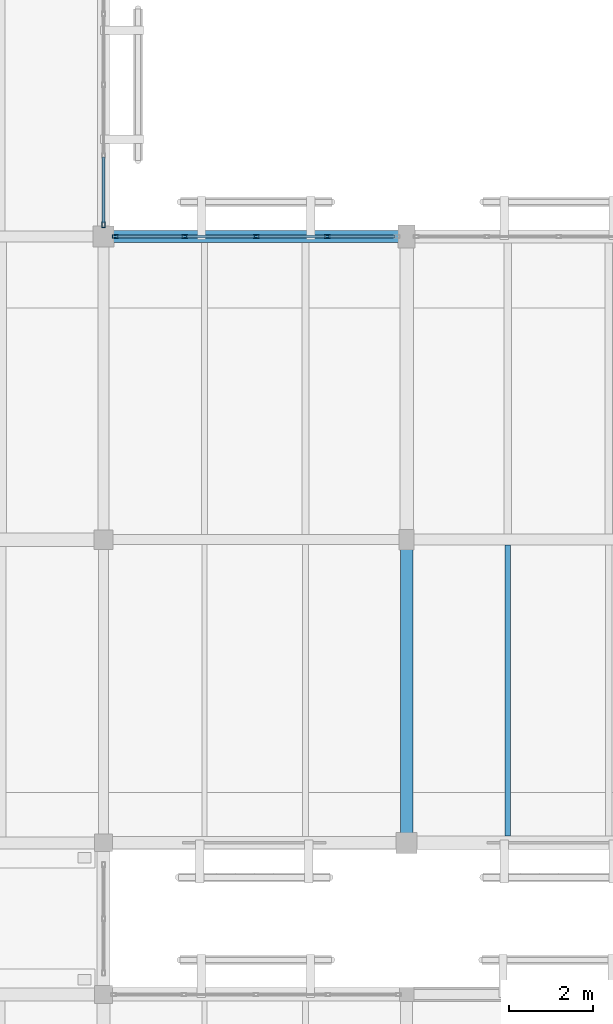
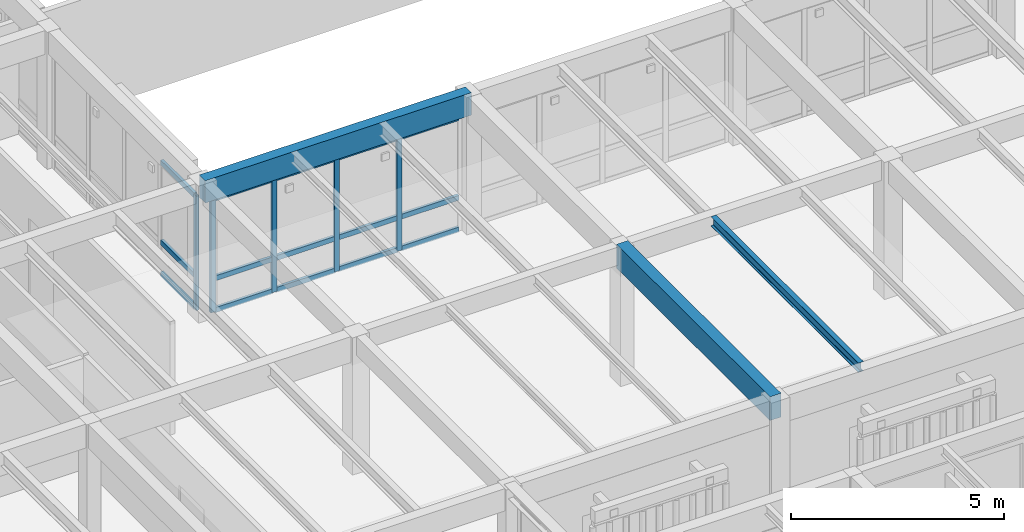
# One storey, part 141 of 217: 20 members, 3 beams, 2 elements without a shape of their own.
"""IFC4 building model written with IfcOpenShell, lengths in metres."""

from ifc_helpers import new_model, si_unit, direction, frame, origin, origin_2d, place, context, subcontext, project, spatial, rectangle, hollow_rectangle, i_section, extrude, material, layer, layer_set, material_profile, profile_set, type_object, element, aggregate, save


model = new_model("IFC4")

# Units and contexts
model_context = context("Model", 3, precision=1e-05, world=origin(), true_north=direction((0.0, 1.0)))
body_context = subcontext(model_context, "Body", "Model", "MODEL_VIEW")
ifc_project = project(units=[si_unit("LENGTHUNIT", "METRE"), si_unit("AREAUNIT", "SQUARE_METRE"), si_unit("VOLUMEUNIT", "CUBIC_METRE"), si_unit("PLANEANGLEUNIT", "RADIAN"), si_unit("MASSUNIT", "GRAM", prefix="KILO")], contexts=[model_context])

# Site, building, storey
site_placement = place(None, origin())
site = spatial("IfcSite", under=ifc_project, at=site_placement, CompositionType="ELEMENT")
building_placement = place(site_placement, origin())
building = spatial("IfcBuilding", under=site, at=building_placement, Name="Mazaris Harbour Polytechnic", CompositionType="ELEMENT")
storey_placement = place(building_placement, frame((0.0, 0.0, 9.60009765625)))
storey = spatial("IfcBuildingStorey", under=building, at=storey_placement, Name="L02", CompositionType="ELEMENT", Elevation=9.60009765625)

# Curtain wall, members
ifc_material_1 = material(Name="Anodised Bronze Aluminium and Low-E Glass", Category="aluminium")
ifc_layer = layer(ifc_material_1, 0.169921875, Name="Anodised Bronze Aluminium and Low-E Glass")
ifc_layer_set = layer_set([ifc_layer], Name="Anodised Bronze Aluminium and Low-E Glass")
curtain_wall_type = type_object("IfcCurtainWallType", Name="Studio North-Light Curtain Wall", PredefinedType="NOTDEFINED", material=ifc_layer_set)
curtain_wall_1_placement = place(storey_placement, origin())
curtain_wall_1 = element("IfcCurtainWall", 1, at=curtain_wall_1_placement, inside=storey, type_object=curtain_wall_type, Name="V5 L02 Curtain Wall 235", PredefinedType="NOTDEFINED")
ifc_material_2 = material(Name="Anodised Bronze Steel S355", Category="steel")
ifc_material_profile_1 = material_profile(ifc_material_2, hollow_rectangle(XDim=0.080078125, YDim=0.139892578125, WallThickness=0.00634765625, at=origin_2d()), Name="RHS 80x140x6.3")
ifc_profile_set_1 = profile_set([ifc_material_profile_1], Name="Anodised Bronze Steel S355")
member_type_1 = type_object("IfcMemberType", Name="Curtain Mullion RHS80x140", PredefinedType="MULLION", material=ifc_profile_set_1)
member_1_placement = place(storey_placement, frame((137.08203125, 61.199951171875, 0.0), z_axis=(0.0, 0.0, 1.0), x_axis=(0.0, 1.0, 0.0)))
member_1 = element("IfcMember", 2, at=member_1_placement, type_object=member_type_1, Name="CW-03 mullion 1", PredefinedType="MULLION", context=body_context, shape_type="SweptSolid", body=[
    extrude(hollow_rectangle(XDim=0.080078125, YDim=0.139892578125, WallThickness=0.00634765625, at=origin_2d()), origin(), (0.0, 0.0, 1.0), 3.27001953125),
])
member_2_placement = place(storey_placement, frame((138.7333984375, 61.199951171875, 0.0), z_axis=(0.0, 0.0, 1.0), x_axis=(0.0, 1.0, 0.0)))
member_2 = element("IfcMember", 3, at=member_2_placement, type_object=member_type_1, Name="CW-03 mullion 2", PredefinedType="MULLION", context=body_context, shape_type="SweptSolid", body=[
    extrude(hollow_rectangle(XDim=0.080078125, YDim=0.139892578125, WallThickness=0.00634765625, at=origin_2d()), origin(), (0.0, 0.0, 1.0), 3.27001953125),
])
member_3_placement = place(storey_placement, frame((140.425048828125, 61.199951171875, 0.0), z_axis=(0.0, 0.0, 1.0), x_axis=(0.0, 1.0, 0.0)))
member_3 = element("IfcMember", 4, at=member_3_placement, type_object=member_type_1, Name="CW-03 mullion 3", PredefinedType="MULLION", context=body_context, shape_type="SweptSolid", body=[
    extrude(hollow_rectangle(XDim=0.080078125, YDim=0.139892578125, WallThickness=0.00634765625, at=origin_2d()), origin(), (0.0, 0.0, 1.0), 3.27001953125),
])
member_4_placement = place(storey_placement, frame((142.116455078125, 61.199951171875, 0.0), z_axis=(0.0, 0.0, 1.0), x_axis=(0.0, 1.0, 0.0)))
member_4 = element("IfcMember", 5, at=member_4_placement, type_object=member_type_1, Name="CW-03 mullion 4", PredefinedType="MULLION", context=body_context, shape_type="SweptSolid", body=[
    extrude(hollow_rectangle(XDim=0.080078125, YDim=0.139892578125, WallThickness=0.00634765625, at=origin_2d()), origin(), (0.0, 0.0, 1.0), 3.27001953125),
])

# Curtain wall, member
curtain_wall_2_placement = place(storey_placement, origin())
curtain_wall_2 = element("IfcCurtainWall", 6, at=curtain_wall_2_placement, inside=storey, type_object=curtain_wall_type, Name="V5 L02 Curtain Wall 241", PredefinedType="NOTDEFINED")
member_5_placement = place(storey_placement, frame((136.800048828125, 61.48193359375, 0.0), z_axis=(0.0, 0.0, 1.0), x_axis=(-1.0, 0.0, 0.0)))
member_5 = element("IfcMember", 7, at=member_5_placement, type_object=member_type_1, Name="CW-03 mullion 1", PredefinedType="MULLION", context=body_context, shape_type="SweptSolid", body=[
    extrude(hollow_rectangle(XDim=0.080078125, YDim=0.139892578125, WallThickness=0.00634765625, at=origin_2d()), origin(), (0.0, 0.0, 1.0), 3.27001953125),
])

# Member
ifc_material_3 = material(Name="Anodised Bronze Steel S355", Category="steel")
ifc_material_profile_2 = material_profile(ifc_material_3, hollow_rectangle(XDim=0.080078125, YDim=0.139892578125, WallThickness=0.00634765625, at=origin_2d()), Name="RHS 80x140x6.3")
ifc_profile_set_2 = profile_set([ifc_material_profile_2], Name="Anodised Bronze Steel S355")
member_type_2 = type_object("IfcMemberType", Name="Curtain Transom RHS80x140", PredefinedType="USERDEFINED", material=ifc_profile_set_2)
member_6_placement = place(storey_placement, frame((137.1220703125, 61.199951171875, 0.039794921875), z_axis=(1.0, 0.0, 0.0), x_axis=(0.0, 1.0, 0.0)))
member_6 = element("IfcMember", 8, at=member_6_placement, type_object=member_type_2, Name="CW-03 transom 1.1", ObjectType="TRANSOM", PredefinedType="USERDEFINED", context=body_context, shape_type="SweptSolid", body=[
    extrude(hollow_rectangle(XDim=0.080078125, YDim=0.139892578125, WallThickness=0.00634765625, at=origin_2d()), origin(), (0.0, 0.0, 1.0), 1.571533203125),
])

member_7_placement = place(storey_placement, frame((137.1220703125, 61.199951171875, 0.949951171875), z_axis=(1.0, 0.0, 0.0), x_axis=(0.0, 1.0, 0.0)))
member_7 = element("IfcMember", 9, at=member_7_placement, type_object=member_type_2, Name="CW-03 transom 1.2", ObjectType="TRANSOM", PredefinedType="USERDEFINED", context=body_context, shape_type="SweptSolid", body=[
    extrude(hollow_rectangle(XDim=0.080078125, YDim=0.139892578125, WallThickness=0.00634765625, at=origin_2d()), origin(), (0.0, 0.0, 1.0), 1.571533203125),
])

member_8_placement = place(storey_placement, frame((137.1220703125, 61.199951171875, 3.22998046875), z_axis=(1.0, 0.0, 0.0), x_axis=(0.0, 1.0, 0.0)))
member_8 = element("IfcMember", 10, at=member_8_placement, type_object=member_type_2, Name="CW-03 transom 1.3", ObjectType="TRANSOM", PredefinedType="USERDEFINED", context=body_context, shape_type="SweptSolid", body=[
    extrude(hollow_rectangle(XDim=0.080078125, YDim=0.139892578125, WallThickness=0.00634765625, at=origin_2d()), origin(), (0.0, 0.0, 1.0), 1.571533203125),
])

member_9_placement = place(storey_placement, frame((138.7734375, 61.199951171875, 0.039794921875), z_axis=(1.0, 0.0, 0.0), x_axis=(0.0, 1.0, 0.0)))
member_9 = element("IfcMember", 11, at=member_9_placement, type_object=member_type_2, Name="CW-03 transom 2.1", ObjectType="TRANSOM", PredefinedType="USERDEFINED", context=body_context, shape_type="SweptSolid", body=[
    extrude(hollow_rectangle(XDim=0.080078125, YDim=0.139892578125, WallThickness=0.00634765625, at=origin_2d()), origin(), (0.0, 0.0, 1.0), 1.611572265625),
])

member_10_placement = place(storey_placement, frame((138.7734375, 61.199951171875, 0.949951171875), z_axis=(1.0, 0.0, 0.0), x_axis=(0.0, 1.0, 0.0)))
member_10 = element("IfcMember", 12, at=member_10_placement, type_object=member_type_2, Name="CW-03 transom 2.2", ObjectType="TRANSOM", PredefinedType="USERDEFINED", context=body_context, shape_type="SweptSolid", body=[
    extrude(hollow_rectangle(XDim=0.080078125, YDim=0.139892578125, WallThickness=0.00634765625, at=origin_2d()), origin(), (0.0, 0.0, 1.0), 1.611572265625),
])

member_11_placement = place(storey_placement, frame((138.7734375, 61.199951171875, 3.22998046875), z_axis=(1.0, 0.0, 0.0), x_axis=(0.0, 1.0, 0.0)))
member_11 = element("IfcMember", 13, at=member_11_placement, type_object=member_type_2, Name="CW-03 transom 2.3", ObjectType="TRANSOM", PredefinedType="USERDEFINED", context=body_context, shape_type="SweptSolid", body=[
    extrude(hollow_rectangle(XDim=0.080078125, YDim=0.139892578125, WallThickness=0.00634765625, at=origin_2d()), origin(), (0.0, 0.0, 1.0), 1.611572265625),
])

member_12_placement = place(storey_placement, frame((140.465087890625, 61.199951171875, 0.039794921875), z_axis=(1.0, 0.0, 0.0), x_axis=(0.0, 1.0, 0.0)))
member_12 = element("IfcMember", 14, at=member_12_placement, type_object=member_type_2, Name="CW-03 transom 3.1", ObjectType="TRANSOM", PredefinedType="USERDEFINED", context=body_context, shape_type="SweptSolid", body=[
    extrude(hollow_rectangle(XDim=0.080078125, YDim=0.139892578125, WallThickness=0.00634765625, at=origin_2d()), origin(), (0.0, 0.0, 1.0), 1.611328125),
])

member_13_placement = place(storey_placement, frame((140.465087890625, 61.199951171875, 0.949951171875), z_axis=(1.0, 0.0, 0.0), x_axis=(0.0, 1.0, 0.0)))
member_13 = element("IfcMember", 15, at=member_13_placement, type_object=member_type_2, Name="CW-03 transom 3.2", ObjectType="TRANSOM", PredefinedType="USERDEFINED", context=body_context, shape_type="SweptSolid", body=[
    extrude(hollow_rectangle(XDim=0.080078125, YDim=0.139892578125, WallThickness=0.00634765625, at=origin_2d()), origin(), (0.0, 0.0, 1.0), 1.611328125),
])

member_14_placement = place(storey_placement, frame((140.465087890625, 61.199951171875, 3.22998046875), z_axis=(1.0, 0.0, 0.0), x_axis=(0.0, 1.0, 0.0)))
member_14 = element("IfcMember", 16, at=member_14_placement, type_object=member_type_2, Name="CW-03 transom 3.3", ObjectType="TRANSOM", PredefinedType="USERDEFINED", context=body_context, shape_type="SweptSolid", body=[
    extrude(hollow_rectangle(XDim=0.080078125, YDim=0.139892578125, WallThickness=0.00634765625, at=origin_2d()), origin(), (0.0, 0.0, 1.0), 1.611328125),
])

member_15_placement = place(storey_placement, frame((142.156494140625, 61.199951171875, 0.039794921875), z_axis=(1.0, 0.0, 0.0), x_axis=(0.0, 1.0, 0.0)))
member_15 = element("IfcMember", 17, at=member_15_placement, type_object=member_type_2, Name="CW-03 transom 4.1", ObjectType="TRANSOM", PredefinedType="USERDEFINED", context=body_context, shape_type="SweptSolid", body=[
    extrude(hollow_rectangle(XDim=0.080078125, YDim=0.139892578125, WallThickness=0.00634765625, at=origin_2d()), origin(), (0.0, 0.0, 1.0), 1.571533203125),
])

member_16_placement = place(storey_placement, frame((142.156494140625, 61.199951171875, 0.949951171875), z_axis=(1.0, 0.0, 0.0), x_axis=(0.0, 1.0, 0.0)))
member_16 = element("IfcMember", 18, at=member_16_placement, type_object=member_type_2, Name="CW-03 transom 4.2", ObjectType="TRANSOM", PredefinedType="USERDEFINED", context=body_context, shape_type="SweptSolid", body=[
    extrude(hollow_rectangle(XDim=0.080078125, YDim=0.139892578125, WallThickness=0.00634765625, at=origin_2d()), origin(), (0.0, 0.0, 1.0), 1.571533203125),
])

member_17_placement = place(storey_placement, frame((142.156494140625, 61.199951171875, 3.22998046875), z_axis=(1.0, 0.0, 0.0), x_axis=(0.0, 1.0, 0.0)))
member_17 = element("IfcMember", 19, at=member_17_placement, type_object=member_type_2, Name="CW-03 transom 4.3", ObjectType="TRANSOM", PredefinedType="USERDEFINED", context=body_context, shape_type="SweptSolid", body=[
    extrude(hollow_rectangle(XDim=0.080078125, YDim=0.139892578125, WallThickness=0.00634765625, at=origin_2d()), origin(), (0.0, 0.0, 1.0), 1.571533203125),
])

aggregate(curtain_wall_1, [member_1, member_2, member_3, member_4, member_6, member_7, member_8, member_9, member_10, member_11, member_12, member_13, member_14, member_15, member_16, member_17])

member_18_placement = place(storey_placement, frame((136.800048828125, 61.52197265625, 0.039794921875), z_axis=(0.0, 1.0, 0.0), x_axis=(-1.0, 0.0, 0.0)))
member_18 = element("IfcMember", 20, at=member_18_placement, type_object=member_type_2, Name="CW-03 transom 1.1", ObjectType="TRANSOM", PredefinedType="USERDEFINED", context=body_context, shape_type="SweptSolid", body=[
    extrude(hollow_rectangle(XDim=0.080078125, YDim=0.139892578125, WallThickness=0.00634765625, at=origin_2d()), origin(), (0.0, 0.0, 1.0), 1.5615234375),
])

member_19_placement = place(storey_placement, frame((136.800048828125, 61.52197265625, 0.949951171875), z_axis=(0.0, 1.0, 0.0), x_axis=(-1.0, 0.0, 0.0)))
member_19 = element("IfcMember", 21, at=member_19_placement, type_object=member_type_2, Name="CW-03 transom 1.2", ObjectType="TRANSOM", PredefinedType="USERDEFINED", context=body_context, shape_type="SweptSolid", body=[
    extrude(hollow_rectangle(XDim=0.080078125, YDim=0.139892578125, WallThickness=0.00634765625, at=origin_2d()), origin(), (0.0, 0.0, 1.0), 1.5615234375),
])

member_20_placement = place(storey_placement, frame((136.800048828125, 61.52197265625, 3.22998046875), z_axis=(0.0, 1.0, 0.0), x_axis=(-1.0, 0.0, 0.0)))
member_20 = element("IfcMember", 22, at=member_20_placement, type_object=member_type_2, Name="CW-03 transom 1.3", ObjectType="TRANSOM", PredefinedType="USERDEFINED", context=body_context, shape_type="SweptSolid", body=[
    extrude(hollow_rectangle(XDim=0.080078125, YDim=0.139892578125, WallThickness=0.00634765625, at=origin_2d()), origin(), (0.0, 0.0, 1.0), 1.5615234375),
])

aggregate(curtain_wall_2, [member_5, member_18, member_19, member_20])

# Beams
ifc_material_4 = material(Name="Glulam GL32h", Category="wood")
ifc_material_profile_3 = material_profile(ifc_material_4, rectangle(XDim=0.280029296875, YDim=0.639892578125, at=origin_2d()), Name="RECT280x640")
ifc_profile_set_3 = profile_set([ifc_material_profile_3], Name="Glulam GL32h")
beam_type_1 = type_object("IfcBeamType", Name="Glulam Girder 280x640", PredefinedType="BEAM", material=ifc_profile_set_3)
beam_1_placement = place(storey_placement, frame((136.800048828125, 61.199951171875, 3.599853515625), z_axis=(1.0, 0.0, 0.0), x_axis=(0.0, 1.0, 0.0)))
element("IfcBeam", 23, at=beam_1_placement, inside=storey, type_object=beam_type_1, Name="V5 L02 Girder 3132", PredefinedType="BEAM", context=body_context, shape_type="SweptSolid", body=[
    extrude(rectangle(XDim=0.280029296875, YDim=0.639892578125, at=origin_2d()), origin(), (0.0, 0.0, 1.0), 7.199951171875),
])
ifc_material_5 = material(Name="Glulam GL32h", Category="wood")
ifc_material_profile_4 = material_profile(ifc_material_5, rectangle(XDim=0.300048828125, YDim=0.679931640625, at=origin_2d()), Name="RECT300x680")
ifc_profile_set_4 = profile_set([ifc_material_profile_4], Name="Glulam GL32h")
beam_type_2 = type_object("IfcBeamType", Name="Glulam Girder 300x680", PredefinedType="BEAM", material=ifc_profile_set_4)
beam_2_placement = place(storey_placement, frame((144.0, 46.800048828125, 3.579833984375), z_axis=(0.0, 1.0, 0.0), x_axis=(-1.0, 0.0, 0.0)))
element("IfcBeam", 24, at=beam_2_placement, inside=storey, type_object=beam_type_2, Name="V5 L02 Tie Girder 3193", PredefinedType="BEAM", context=body_context, shape_type="SweptSolid", body=[
    extrude(rectangle(XDim=0.300048828125, YDim=0.679931640625, at=origin_2d()), origin(), (0.0, 0.0, 1.0), 7.199951171875),
])
ifc_material_6 = material(Name="Steel S355", Category="steel")
ifc_material_profile_5 = material_profile(ifc_material_6, i_section(OverallWidth=0.135009765625, OverallDepth=0.27001953125, WebThickness=0.006591796875, FlangeThickness=0.01025390625, FilletRadius=0.014892578125, at=origin_2d()), Name="IPE 270")
ifc_profile_set_5 = profile_set([ifc_material_profile_5], Name="Steel S355")
beam_type_3 = type_object("IfcBeamType", Name="Steel Joist IPE270", PredefinedType="JOIST", material=ifc_profile_set_5)
beam_3_placement = place(storey_placement, frame((146.39990234375, 46.9599609375, 3.784912109375), z_axis=(0.0, 1.0, 0.0), x_axis=(-1.0, 0.0, 0.0)))
element("IfcBeam", 25, at=beam_3_placement, inside=storey, type_object=beam_type_3, Name="V5 L02 Floor Joist 3257", PredefinedType="JOIST", context=body_context, shape_type="SweptSolid", body=[
    extrude(i_section(OverallWidth=0.135009765625, OverallDepth=0.27001953125, WebThickness=0.006591796875, FlangeThickness=0.01025390625, FilletRadius=0.014892578125, at=origin_2d()), origin(), (0.0, 0.0, 1.0), 6.91015625),
])

save(model, "model.ifc")
